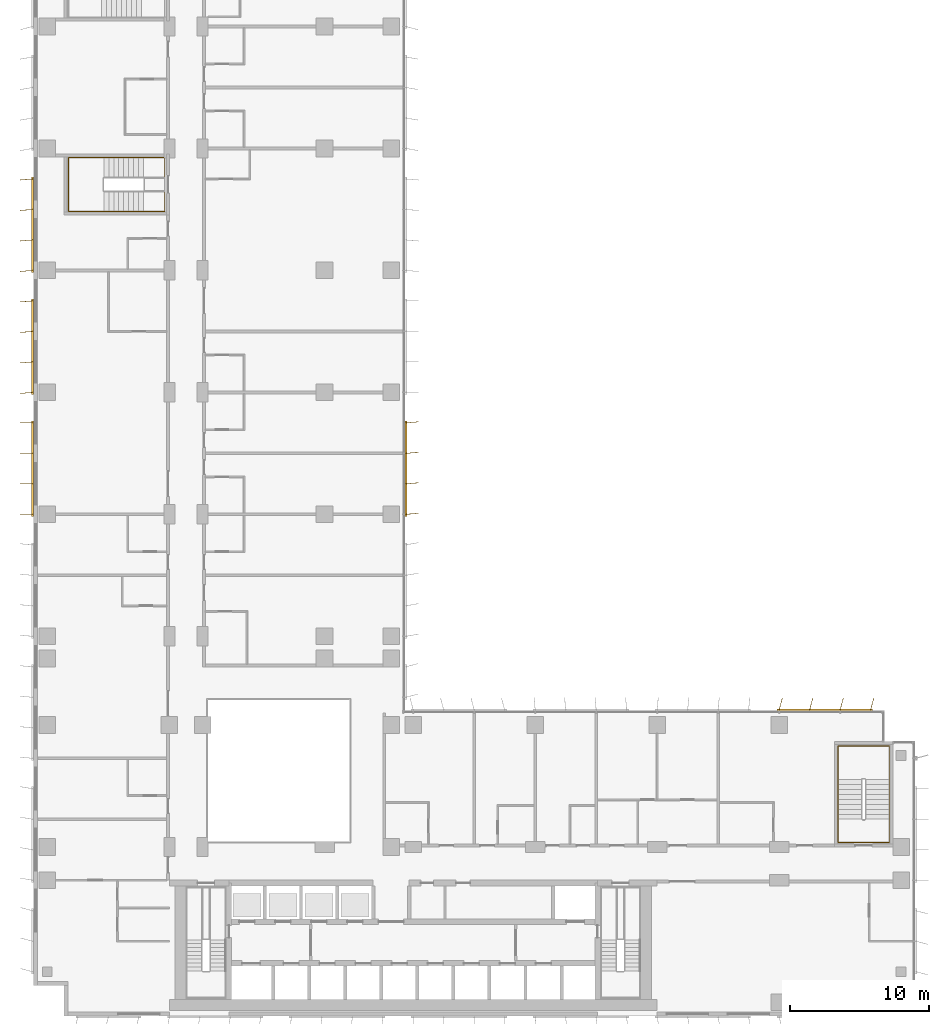
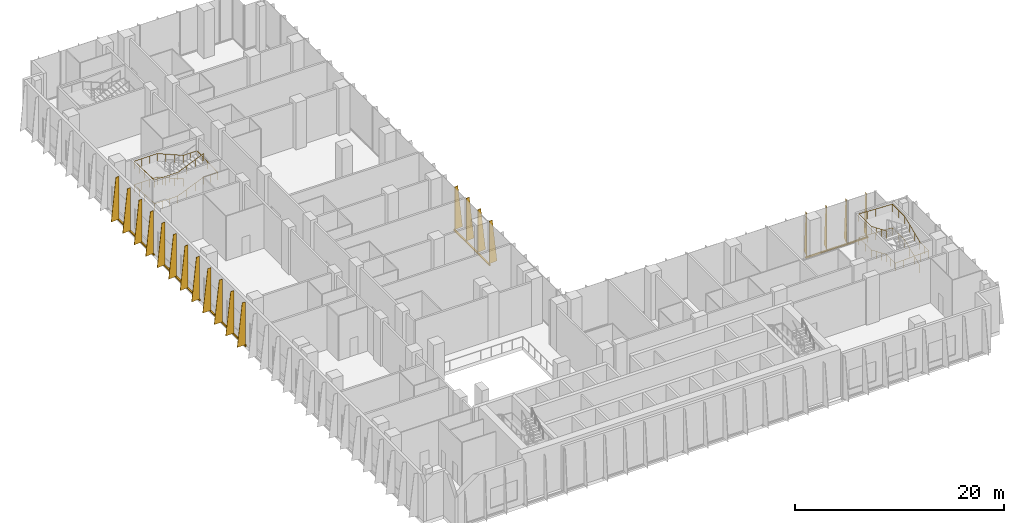
# One storey, part 23 of 26: 5 shading devices, 2 railings.
"""IFC4 building model written with IfcOpenShell, lengths in metres."""

from ifc_helpers import new_model, si_unit, direction, frame, origin, origin_2d, place, context, subcontext, project, spatial, polyline, rectangle, circle, outline, extrude, source, transform, mapped, material, layer, layer_set, type_object, element, save


model = new_model("IFC4")

# Units and contexts
model_context = context("Model", 3, precision=1e-05, world=origin(), true_north=direction((0.0, 1.0)))
body_context = subcontext(model_context, "Body", "Model", "MODEL_VIEW")
ifc_project = project(units=[si_unit("LENGTHUNIT", "METRE"), si_unit("AREAUNIT", "SQUARE_METRE"), si_unit("VOLUMEUNIT", "CUBIC_METRE"), si_unit("PLANEANGLEUNIT", "RADIAN"), si_unit("MASSUNIT", "GRAM", prefix="KILO")], contexts=[model_context])

# Site, building, storey
site_placement = place(None, origin())
site = spatial("IfcSite", under=ifc_project, at=site_placement, CompositionType="ELEMENT")
building_placement = place(site_placement, origin())
building = spatial("IfcBuilding", under=site, at=building_placement, Name="Kemantara Hotel Tower", CompositionType="ELEMENT")
storey_placement = place(building_placement, frame((0.0, 0.0, 101.89990234375)))
storey = spatial("IfcBuildingStorey", under=building, at=storey_placement, Name="L24", CompositionType="ELEMENT", Elevation=101.89990234375)

# Railings
ifc_material_1 = material(Name="Stainless steel balustrade", Category="steel")
railing_type = type_object("IfcRailingType", Name="Stair handrail 900 mm", PredefinedType="HANDRAIL", material=ifc_material_1)
railing_1_placement = place(storey_placement, frame((61.75, 14.199951171875, 0.15283203125)))
element("IfcRailing", 1, at=railing_1_placement, inside=storey, type_object=railing_type, Name="L24 ST3 stair handrail 1", PredefinedType="HANDRAIL", context=body_context, shape_type="SweptSolid", body=[
    extrude(circle(Radius=0.02392578125, at=origin_2d()), frame((0.0, 0.0, 0.8759765625), z_axis=(0.0, 0.920547772064, 0.390630003133), x_axis=(-1.0, 0.0, 0.0)), (0.0, 0.0, 1.0), 3.128662109375),
    extrude(circle(Radius=0.02392578125, at=origin_2d()), frame((0.0, 2.880126953125, 2.09814453125), z_axis=(0.0, 1.0, 0.0), x_axis=(-1.0, 0.0, 0.0)), (0.0, 0.0, 1.0), 2.39990234375),
    extrude(circle(Radius=0.02392578125, at=origin_2d()), frame((0.0, 5.280029296875, 2.09814453125), z_axis=(-0.999147976703, 0.0, 0.041271305405), x_axis=(0.0, -1.0, 0.0)), (0.0, 0.0, 1.0), 3.703125),
    extrude(circle(Radius=0.02392578125, at=origin_2d()), frame((-3.699951171875, 5.280029296875, 2.2509765625), z_axis=(0.0, -1.0, 0.0), x_axis=(1.0, 0.0, 0.0)), (0.0, 0.0, 1.0), 2.39990234375),
    extrude(circle(Radius=0.02392578125, at=origin_2d()), frame((-3.699951171875, 2.880126953125, 2.2509765625), z_axis=(0.0, -0.920547772064, 0.390630003133), x_axis=(1.0, 0.0, 0.0)), (0.0, 0.0, 1.0), 3.128662109375),
    extrude(circle(Radius=0.02392578125, at=origin_2d()), frame((-3.699951171875, 0.0, 3.47314453125), z_axis=(0.0, -1.0, 0.0), x_axis=(1.0, 0.0, 0.0)), (0.0, 0.0, 1.0), 1.679931640625),
    extrude(circle(Radius=0.02392578125, at=origin_2d()), frame((-3.699951171875, -1.679931640625, 3.47314453125), z_axis=(0.999147976703, 0.0, 0.041271305405), x_axis=(0.0, 1.0, 0.0)), (0.0, 0.0, 1.0), 3.703125),
    extrude(circle(Radius=0.02392578125, at=origin_2d()), frame((0.0, -1.679931640625, 3.6259765625), z_axis=(0.0, 1.0, 0.0), x_axis=(-1.0, 0.0, 0.0)), (0.0, 0.0, 1.0), 1.679931640625),
    extrude(circle(Radius=0.02392578125, at=origin_2d()), frame((0.0, 0.0, 3.6259765625), z_axis=(0.0, 0.920547772064, 0.390630003133), x_axis=(-1.0, 0.0, 0.0)), (0.0, 0.0, 1.0), 3.128662109375),
    extrude(circle(Radius=0.02392578125, at=origin_2d()), frame((0.0, 2.880126953125, 4.84814453125), z_axis=(0.0, 1.0, 0.0), x_axis=(-1.0, 0.0, 0.0)), (0.0, 0.0, 1.0), 2.39990234375),
    extrude(circle(Radius=0.02392578125, at=origin_2d()), frame((0.0, 5.280029296875, 4.84814453125), z_axis=(-0.999147976703, 0.0, 0.041271305405), x_axis=(0.0, -1.0, 0.0)), (0.0, 0.0, 1.0), 3.703125),
    extrude(circle(Radius=0.02392578125, at=origin_2d()), frame((-3.699951171875, 5.280029296875, 5.0009765625), z_axis=(0.0, -1.0, 0.0), x_axis=(1.0, 0.0, 0.0)), (0.0, 0.0, 1.0), 2.39990234375),
    extrude(circle(Radius=0.02392578125, at=origin_2d()), frame((-3.699951171875, 2.880126953125, 5.0009765625), z_axis=(0.0, -0.920547772064, 0.390630003133), x_axis=(1.0, 0.0, 0.0)), (0.0, 0.0, 1.0), 3.128662109375),
    extrude(circle(Radius=0.02099609375, at=origin_2d()), origin(), (0.0, 0.0, 1.0), 0.851806640625),
    extrude(circle(Radius=0.02099609375, at=origin_2d()), frame((0.0, 0.9599609375, 0.407470703125)), (0.0, 0.0, 1.0), 0.851806640625),
    extrude(circle(Radius=0.02099609375, at=origin_2d()), frame((0.0, 1.920166015625, 0.814697265625)), (0.0, 0.0, 1.0), 0.851806640625),
    extrude(circle(Radius=0.02099609375, at=origin_2d()), frame((0.0, 2.880126953125, 1.22216796875)), (0.0, 0.0, 1.0), 0.851806640625),
    extrude(circle(Radius=0.02099609375, at=origin_2d()), frame((0.0, 4.080078125, 1.22216796875)), (0.0, 0.0, 1.0), 0.851806640625),
    extrude(circle(Radius=0.02099609375, at=origin_2d()), frame((0.0, 5.280029296875, 1.22216796875)), (0.0, 0.0, 1.0), 0.851806640625),
    extrude(circle(Radius=0.02099609375, at=origin_2d()), frame((-0.925048828125, 5.280029296875, 1.26025390625)), (0.0, 0.0, 1.0), 0.851806640625),
    extrude(circle(Radius=0.02099609375, at=origin_2d()), frame((-1.85009765625, 5.280029296875, 1.298583984375)), (0.0, 0.0, 1.0), 0.851806640625),
    extrude(circle(Radius=0.02099609375, at=origin_2d()), frame((-2.77490234375, 5.280029296875, 1.3369140625)), (0.0, 0.0, 1.0), 0.851806640625),
    extrude(circle(Radius=0.02099609375, at=origin_2d()), frame((-3.699951171875, 5.280029296875, 1.375)), (0.0, 0.0, 1.0), 0.851806640625),
    extrude(circle(Radius=0.02099609375, at=origin_2d()), frame((-3.699951171875, 4.080078125, 1.375)), (0.0, 0.0, 1.0), 0.851806640625),
    extrude(circle(Radius=0.02099609375, at=origin_2d()), frame((-3.699951171875, 2.880126953125, 1.375)), (0.0, 0.0, 1.0), 0.851806640625),
    extrude(circle(Radius=0.02099609375, at=origin_2d()), frame((-3.699951171875, 1.920166015625, 1.782470703125)), (0.0, 0.0, 1.0), 0.851806640625),
    extrude(circle(Radius=0.02099609375, at=origin_2d()), frame((-3.699951171875, 0.9599609375, 2.189697265625)), (0.0, 0.0, 1.0), 0.851806640625),
    extrude(circle(Radius=0.02099609375, at=origin_2d()), frame((-3.699951171875, 0.0, 2.59716796875)), (0.0, 0.0, 1.0), 0.851806640625),
    extrude(circle(Radius=0.02099609375, at=origin_2d()), frame((-3.699951171875, -0.83984375, 2.59716796875)), (0.0, 0.0, 1.0), 0.851806640625),
    extrude(circle(Radius=0.02099609375, at=origin_2d()), frame((-3.699951171875, -1.679931640625, 2.59716796875)), (0.0, 0.0, 1.0), 0.851806640625),
    extrude(circle(Radius=0.02099609375, at=origin_2d()), frame((-2.77490234375, -1.679931640625, 2.63525390625)), (0.0, 0.0, 1.0), 0.851806640625),
    extrude(circle(Radius=0.02099609375, at=origin_2d()), frame((-1.85009765625, -1.679931640625, 2.673583984375)), (0.0, 0.0, 1.0), 0.851806640625),
    extrude(circle(Radius=0.02099609375, at=origin_2d()), frame((-0.925048828125, -1.679931640625, 2.7119140625)), (0.0, 0.0, 1.0), 0.851806640625),
    extrude(circle(Radius=0.02099609375, at=origin_2d()), frame((0.0, -1.679931640625, 2.75)), (0.0, 0.0, 1.0), 0.851806640625),
    extrude(circle(Radius=0.02099609375, at=origin_2d()), frame((0.0, -0.83984375, 2.75)), (0.0, 0.0, 1.0), 0.851806640625),
    extrude(circle(Radius=0.02099609375, at=origin_2d()), frame((0.0, 0.0, 2.75)), (0.0, 0.0, 1.0), 0.851806640625),
    extrude(circle(Radius=0.02099609375, at=origin_2d()), frame((0.0, 0.9599609375, 3.157470703125)), (0.0, 0.0, 1.0), 0.851806640625),
    extrude(circle(Radius=0.02099609375, at=origin_2d()), frame((0.0, 1.920166015625, 3.564697265625)), (0.0, 0.0, 1.0), 0.851806640625),
    extrude(circle(Radius=0.02099609375, at=origin_2d()), frame((0.0, 2.880126953125, 3.97216796875)), (0.0, 0.0, 1.0), 0.851806640625),
    extrude(circle(Radius=0.02099609375, at=origin_2d()), frame((0.0, 4.080078125, 3.97216796875)), (0.0, 0.0, 1.0), 0.851806640625),
    extrude(circle(Radius=0.02099609375, at=origin_2d()), frame((0.0, 5.280029296875, 3.97216796875)), (0.0, 0.0, 1.0), 0.851806640625),
    extrude(circle(Radius=0.02099609375, at=origin_2d()), frame((-0.925048828125, 5.280029296875, 4.01025390625)), (0.0, 0.0, 1.0), 0.851806640625),
    extrude(circle(Radius=0.02099609375, at=origin_2d()), frame((-1.85009765625, 5.280029296875, 4.048583984375)), (0.0, 0.0, 1.0), 0.851806640625),
    extrude(circle(Radius=0.02099609375, at=origin_2d()), frame((-2.77490234375, 5.280029296875, 4.0869140625)), (0.0, 0.0, 1.0), 0.851806640625),
    extrude(circle(Radius=0.02099609375, at=origin_2d()), frame((-3.699951171875, 5.280029296875, 4.125)), (0.0, 0.0, 1.0), 0.851806640625),
    extrude(circle(Radius=0.02099609375, at=origin_2d()), frame((-3.699951171875, 4.080078125, 4.125)), (0.0, 0.0, 1.0), 0.851806640625),
    extrude(circle(Radius=0.02099609375, at=origin_2d()), frame((-3.699951171875, 2.880126953125, 4.125)), (0.0, 0.0, 1.0), 0.851806640625),
    extrude(circle(Radius=0.02099609375, at=origin_2d()), frame((-3.699951171875, 1.920166015625, 4.532470703125)), (0.0, 0.0, 1.0), 0.851806640625),
    extrude(circle(Radius=0.02099609375, at=origin_2d()), frame((-3.699951171875, 0.9599609375, 4.939697265625)), (0.0, 0.0, 1.0), 0.851806640625),
    extrude(circle(Radius=0.02099609375, at=origin_2d()), frame((-3.699951171875, 0.0, 5.34716796875)), (0.0, 0.0, 1.0), 0.851806640625),
])
railing_2_placement = place(storey_placement, frame((7.949951171875, 61.949951171875, 0.15283203125)))
element("IfcRailing", 2, at=railing_2_placement, inside=storey, type_object=railing_type, Name="L24 ST4 stair handrail 1", PredefinedType="HANDRAIL", context=body_context, shape_type="SweptSolid", body=[
    extrude(circle(Radius=0.02392578125, at=origin_2d()), frame((0.0, 0.0, 0.8759765625), z_axis=(-0.920535863683, 0.0, 0.390658064903), x_axis=(0.0, -1.0, 0.0)), (0.0, 0.0, 1.0), 3.12841796875),
    extrude(circle(Radius=0.02392578125, at=origin_2d()), frame((-2.8798828125, 0.0, 2.09814453125), z_axis=(-1.0, 0.0, 0.0), x_axis=(0.0, -1.0, 0.0)), (0.0, 0.0, 1.0), 2.550048828125),
    extrude(circle(Radius=0.02392578125, at=origin_2d()), frame((-5.429931640625, 0.0, 2.09814453125), z_axis=(0.0, -0.999233006938, 0.039158624161), x_axis=(1.0, 0.0, 0.0)), (0.0, 0.0, 1.0), 3.90283203125),
    extrude(circle(Radius=0.02392578125, at=origin_2d()), frame((-5.429931640625, -3.89990234375, 2.2509765625), z_axis=(1.0, 0.0, 0.0), x_axis=(0.0, 1.0, 0.0)), (0.0, 0.0, 1.0), 2.550048828125),
    extrude(circle(Radius=0.02392578125, at=origin_2d()), frame((-2.8798828125, -3.89990234375, 2.2509765625), z_axis=(0.920535863683, 0.0, 0.390658064903), x_axis=(0.0, 1.0, 0.0)), (0.0, 0.0, 1.0), 3.12841796875),
    extrude(circle(Radius=0.02392578125, at=origin_2d()), frame((0.0, -3.89990234375, 3.47314453125), z_axis=(1.0, 0.0, 0.0), x_axis=(0.0, 1.0, 0.0)), (0.0, 0.0, 1.0), 1.530029296875),
    extrude(circle(Radius=0.02392578125, at=origin_2d()), frame((1.530029296875, -3.89990234375, 3.47314453125), z_axis=(0.0, 0.999233006938, 0.039158624161), x_axis=(-1.0, 0.0, 0.0)), (0.0, 0.0, 1.0), 3.90283203125),
    extrude(circle(Radius=0.02392578125, at=origin_2d()), frame((1.530029296875, 0.0, 3.6259765625), z_axis=(-1.0, 0.0, 0.0), x_axis=(0.0, -1.0, 0.0)), (0.0, 0.0, 1.0), 1.530029296875),
    extrude(circle(Radius=0.02392578125, at=origin_2d()), frame((0.0, 0.0, 3.6259765625), z_axis=(-0.920535863683, 0.0, 0.390658064903), x_axis=(0.0, -1.0, 0.0)), (0.0, 0.0, 1.0), 3.12841796875),
    extrude(circle(Radius=0.02392578125, at=origin_2d()), frame((-2.8798828125, 0.0, 4.84814453125), z_axis=(-1.0, 0.0, 0.0), x_axis=(0.0, -1.0, 0.0)), (0.0, 0.0, 1.0), 2.550048828125),
    extrude(circle(Radius=0.02392578125, at=origin_2d()), frame((-5.429931640625, 0.0, 4.84814453125), z_axis=(0.0, -0.999233006938, 0.039158624161), x_axis=(1.0, 0.0, 0.0)), (0.0, 0.0, 1.0), 3.90283203125),
    extrude(circle(Radius=0.02392578125, at=origin_2d()), frame((-5.429931640625, -3.89990234375, 5.0009765625), z_axis=(1.0, 0.0, 0.0), x_axis=(0.0, 1.0, 0.0)), (0.0, 0.0, 1.0), 2.550048828125),
    extrude(circle(Radius=0.02392578125, at=origin_2d()), frame((-2.8798828125, -3.89990234375, 5.0009765625), z_axis=(0.920535863683, 0.0, 0.390658064903), x_axis=(0.0, 1.0, 0.0)), (0.0, 0.0, 1.0), 3.12841796875),
    extrude(circle(Radius=0.02099609375, at=origin_2d()), origin(), (0.0, 0.0, 1.0), 0.851806640625),
    extrude(circle(Radius=0.02099609375, at=origin_2d()), frame((-0.9599609375, 0.0, 0.407470703125)), (0.0, 0.0, 1.0), 0.851806640625),
    extrude(circle(Radius=0.02099609375, at=origin_2d()), frame((-1.919921875, 0.0, 0.814697265625)), (0.0, 0.0, 1.0), 0.851806640625),
    extrude(circle(Radius=0.02099609375, at=origin_2d()), frame((-2.8798828125, 0.0, 1.22216796875)), (0.0, 0.0, 1.0), 0.851806640625),
    extrude(circle(Radius=0.02099609375, at=origin_2d()), frame((-3.72998046875, 0.0, 1.22216796875)), (0.0, 0.0, 1.0), 0.851806640625),
    extrude(circle(Radius=0.02099609375, at=origin_2d()), frame((-4.579833984375, 0.0, 1.22216796875)), (0.0, 0.0, 1.0), 0.851806640625),
    extrude(circle(Radius=0.02099609375, at=origin_2d()), frame((-5.429931640625, 0.0, 1.22216796875)), (0.0, 0.0, 1.0), 0.851806640625),
    extrude(circle(Radius=0.02099609375, at=origin_2d()), frame((-5.429931640625, -0.97509765625, 1.26025390625)), (0.0, 0.0, 1.0), 0.851806640625),
    extrude(circle(Radius=0.02099609375, at=origin_2d()), frame((-5.429931640625, -1.949951171875, 1.298583984375)), (0.0, 0.0, 1.0), 0.851806640625),
    extrude(circle(Radius=0.02099609375, at=origin_2d()), frame((-5.429931640625, -2.9248046875, 1.3369140625)), (0.0, 0.0, 1.0), 0.851806640625),
    extrude(circle(Radius=0.02099609375, at=origin_2d()), frame((-5.429931640625, -3.89990234375, 1.375)), (0.0, 0.0, 1.0), 0.851806640625),
    extrude(circle(Radius=0.02099609375, at=origin_2d()), frame((-4.579833984375, -3.89990234375, 1.375)), (0.0, 0.0, 1.0), 0.851806640625),
    extrude(circle(Radius=0.02099609375, at=origin_2d()), frame((-3.72998046875, -3.89990234375, 1.375)), (0.0, 0.0, 1.0), 0.851806640625),
    extrude(circle(Radius=0.02099609375, at=origin_2d()), frame((-2.8798828125, -3.89990234375, 1.375)), (0.0, 0.0, 1.0), 0.851806640625),
    extrude(circle(Radius=0.02099609375, at=origin_2d()), frame((-1.919921875, -3.89990234375, 1.782470703125)), (0.0, 0.0, 1.0), 0.851806640625),
    extrude(circle(Radius=0.02099609375, at=origin_2d()), frame((-0.9599609375, -3.89990234375, 2.189697265625)), (0.0, 0.0, 1.0), 0.851806640625),
    extrude(circle(Radius=0.02099609375, at=origin_2d()), frame((0.0, -3.89990234375, 2.59716796875)), (0.0, 0.0, 1.0), 0.851806640625),
    extrude(circle(Radius=0.02099609375, at=origin_2d()), frame((0.76513671875, -3.89990234375, 2.59716796875)), (0.0, 0.0, 1.0), 0.851806640625),
    extrude(circle(Radius=0.02099609375, at=origin_2d()), frame((1.530029296875, -3.89990234375, 2.59716796875)), (0.0, 0.0, 1.0), 0.851806640625),
    extrude(circle(Radius=0.02099609375, at=origin_2d()), frame((1.530029296875, -2.9248046875, 2.63525390625)), (0.0, 0.0, 1.0), 0.851806640625),
    extrude(circle(Radius=0.02099609375, at=origin_2d()), frame((1.530029296875, -1.949951171875, 2.673583984375)), (0.0, 0.0, 1.0), 0.851806640625),
    extrude(circle(Radius=0.02099609375, at=origin_2d()), frame((1.530029296875, -0.97509765625, 2.7119140625)), (0.0, 0.0, 1.0), 0.851806640625),
    extrude(circle(Radius=0.02099609375, at=origin_2d()), frame((1.530029296875, 0.0, 2.75)), (0.0, 0.0, 1.0), 0.851806640625),
    extrude(circle(Radius=0.02099609375, at=origin_2d()), frame((0.76513671875, 0.0, 2.75)), (0.0, 0.0, 1.0), 0.851806640625),
    extrude(circle(Radius=0.02099609375, at=origin_2d()), frame((0.0, 0.0, 2.75)), (0.0, 0.0, 1.0), 0.851806640625),
    extrude(circle(Radius=0.02099609375, at=origin_2d()), frame((-0.9599609375, 0.0, 3.157470703125)), (0.0, 0.0, 1.0), 0.851806640625),
    extrude(circle(Radius=0.02099609375, at=origin_2d()), frame((-1.919921875, 0.0, 3.564697265625)), (0.0, 0.0, 1.0), 0.851806640625),
    extrude(circle(Radius=0.02099609375, at=origin_2d()), frame((-2.8798828125, 0.0, 3.97216796875)), (0.0, 0.0, 1.0), 0.851806640625),
    extrude(circle(Radius=0.02099609375, at=origin_2d()), frame((-3.72998046875, 0.0, 3.97216796875)), (0.0, 0.0, 1.0), 0.851806640625),
    extrude(circle(Radius=0.02099609375, at=origin_2d()), frame((-4.579833984375, 0.0, 3.97216796875)), (0.0, 0.0, 1.0), 0.851806640625),
    extrude(circle(Radius=0.02099609375, at=origin_2d()), frame((-5.429931640625, 0.0, 3.97216796875)), (0.0, 0.0, 1.0), 0.851806640625),
    extrude(circle(Radius=0.02099609375, at=origin_2d()), frame((-5.429931640625, -0.97509765625, 4.01025390625)), (0.0, 0.0, 1.0), 0.851806640625),
    extrude(circle(Radius=0.02099609375, at=origin_2d()), frame((-5.429931640625, -1.949951171875, 4.048583984375)), (0.0, 0.0, 1.0), 0.851806640625),
    extrude(circle(Radius=0.02099609375, at=origin_2d()), frame((-5.429931640625, -2.9248046875, 4.0869140625)), (0.0, 0.0, 1.0), 0.851806640625),
    extrude(circle(Radius=0.02099609375, at=origin_2d()), frame((-5.429931640625, -3.89990234375, 4.125)), (0.0, 0.0, 1.0), 0.851806640625),
    extrude(circle(Radius=0.02099609375, at=origin_2d()), frame((-4.579833984375, -3.89990234375, 4.125)), (0.0, 0.0, 1.0), 0.851806640625),
    extrude(circle(Radius=0.02099609375, at=origin_2d()), frame((-3.72998046875, -3.89990234375, 4.125)), (0.0, 0.0, 1.0), 0.851806640625),
    extrude(circle(Radius=0.02099609375, at=origin_2d()), frame((-2.8798828125, -3.89990234375, 4.125)), (0.0, 0.0, 1.0), 0.851806640625),
    extrude(circle(Radius=0.02099609375, at=origin_2d()), frame((-1.919921875, -3.89990234375, 4.532470703125)), (0.0, 0.0, 1.0), 0.851806640625),
    extrude(circle(Radius=0.02099609375, at=origin_2d()), frame((-0.9599609375, -3.89990234375, 4.939697265625)), (0.0, 0.0, 1.0), 0.851806640625),
    extrude(circle(Radius=0.02099609375, at=origin_2d()), frame((0.0, -3.89990234375, 5.34716796875)), (0.0, 0.0, 1.0), 0.851806640625),
])

# Shading devices
ifc_material_2 = material(Name="Perforated aluminium plate 4 mm bronze anodised", Category="aluminium")
ifc_layer_1 = layer(ifc_material_2, 0.0400390625)
ifc_layer_set_1 = layer_set([ifc_layer_1], Name="Perforated aluminium plate 4 mm bronze anodised")
shading_device_type_1 = type_object("IfcShadingDeviceType", Name="SCREEN FIN CASSETTE, 4 BLADES AT +0.0 DEG, 5000 HIGH", PredefinedType="USERDEFINED", material=ifc_layer_set_1)
shared_shape_1 = source(origin(), body_context, "Body", "SweptSolid", [
    extrude(rectangle(XDim=6.89990234375, YDim=0.14990234375, at=origin_2d()), frame((3.300048828125, -0.074951171875, -0.14990234375), z_axis=(0.0, 0.0, 1.0), x_axis=(1.0, 0.0, 0.0)), (0.0, 0.0, 1.0), 0.14990234375),
    extrude(outline(polyline([(0.0, 0.0), (0.89990234375, 0.0), (0.35009765625, 5.0), (0.0, 5.0), (0.0, 0.0)])), frame((0.02001953125, -0.074951171875, 0.0), z_axis=(-1.0, 0.0, 0.0), x_axis=(0.0, -1.0, 0.0)), (0.0, 0.0, 1.0), 0.0400390625),
    extrude(outline(polyline([(0.0, 0.0), (0.89990234375, 0.0), (0.35009765625, 5.0), (0.0, 5.0), (0.0, 0.0)])), frame((2.219970703125, -0.074951171875, 0.0), z_axis=(-1.0, 0.0, 0.0), x_axis=(0.0, -1.0, 0.0)), (0.0, 0.0, 1.0), 0.0400390625),
    extrude(outline(polyline([(0.0, 0.0), (0.89990234375, 0.0), (0.35009765625, 5.0), (0.0, 5.0), (0.0, 0.0)])), frame((4.419921875, -0.074951171875, 0.0), z_axis=(-1.0, 0.0, 0.0), x_axis=(0.0, -1.0, 0.0)), (0.0, 0.0, 1.0), 0.0400390625),
    extrude(outline(polyline([(0.0, 0.0), (0.89990234375, 0.0), (0.35009765625, 5.0), (0.0, 5.0), (0.0, 0.0)])), frame((6.6201171875, -0.074951171875, 0.0), z_axis=(-1.0, 0.0, 0.0), x_axis=(0.0, -1.0, 0.0)), (0.0, 0.0, 1.0), 0.0400390625),
])
shading_device_1_placement = place(storey_placement, frame((0.0, 42.800048828125, 0.10009765625), z_axis=(0.0, 0.0, 1.0), x_axis=(0.0, -1.0, 0.0)))
element("IfcShadingDevice", 3, at=shading_device_1_placement, inside=storey, type_object=shading_device_type_1, Name="SCREEN FIN CASSETTE L24 T2-R04-5", ObjectType="SCREEN FIN", PredefinedType="USERDEFINED", context=body_context, shape_type="MappedRepresentation", body=[
    mapped(shared_shape_1, transform((0.0, 0.0, 0.0))),
])
ifc_layer_2 = layer(ifc_material_2, 0.0400390625)
ifc_layer_set_2 = layer_set([ifc_layer_2], Name="Perforated aluminium plate 4 mm bronze anodised")
shading_device_type_2 = type_object("IfcShadingDeviceType", Name="SCREEN FIN CASSETTE, 4 BLADES AT +5.0 DEG, 5000 HIGH", PredefinedType="USERDEFINED", material=ifc_layer_set_2)
shared_shape_2 = source(origin(), body_context, "Body", "SweptSolid", [
    extrude(rectangle(XDim=6.89990234375, YDim=0.14990234375, at=origin_2d()), frame((3.300048828125, -0.074951171875, -0.14990234375), z_axis=(0.0, 0.0, 1.0), x_axis=(1.0, 0.0, 0.0)), (0.0, 0.0, 1.0), 0.14990234375),
    extrude(outline(polyline([(0.0, 0.0), (0.89990234375, 0.0), (0.35009765625, 5.0), (0.0, 5.0), (0.0, 0.0)])), frame((0.02001953125, -0.0732421875, 0.0), z_axis=(-0.996376129781, -0.085056498884, 0.0), x_axis=(0.085056498884, -0.996376129781, 0.0)), (0.0, 0.0, 1.0), 0.040283203125),
    extrude(outline(polyline([(0.0, 0.0), (0.89990234375, 0.0), (0.35009765625, 5.0), (0.0, 5.0), (0.0, 0.0)])), frame((2.219970703125, -0.0732421875, 0.0), z_axis=(-0.996331773833, -0.085574508182, 0.0), x_axis=(0.085574508182, -0.996331773833, 0.0)), (0.0, 0.0, 1.0), 0.0400390625),
    extrude(outline(polyline([(0.0, 0.0), (0.89990234375, 0.0), (0.35009765625, 5.0), (0.0, 5.0), (0.0, 0.0)])), frame((4.419921875, -0.0732421875, 0.0), z_axis=(-0.996331773833, -0.085574508182, 0.0), x_axis=(0.085574508182, -0.996331773833, 0.0)), (0.0, 0.0, 1.0), 0.0400390625),
    extrude(outline(polyline([(0.0, 0.0), (0.89990234375, 0.0), (0.35009765625, 5.0), (0.0, 5.0), (0.0, 0.0)])), frame((6.619873046875, -0.0732421875, 0.0), z_axis=(-0.996331773833, -0.085574508182, 0.0), x_axis=(0.085574508182, -0.996331773833, 0.0)), (0.0, 0.0, 1.0), 0.0400390625),
])
for number, where, z_axis, x_axis, name in (
    (4, (0.0, 60.39990234375, 0.10009765625), (0.0, 0.0, 1.0), (0.0, -1.0, 0.0), "SCREEN FIN CASSETTE L24 T2-R04-3"),
    (5, (0.0, 51.60009765625, 0.10009765625), (0.0, 0.0, 1.0), (0.0, -1.0, 0.0), "SCREEN FIN CASSETTE L24 T2-R04-4"),
    (6, (26.800048828125, 36.199951171875, 0.10009765625), (0.0, 0.0, 1.0), (0.0, 1.0, 0.0), "SCREEN FIN CASSETTE L24 T2-R14-3"),
):
    element("IfcShadingDevice", number, at=place(storey_placement, frame(where, z_axis=z_axis, x_axis=x_axis)), inside=storey, type_object=shading_device_type_2, Name=name, ObjectType="SCREEN FIN", PredefinedType="USERDEFINED", context=body_context, shape_type="MappedRepresentation", body=[
        mapped(shared_shape_2, transform((0.0, 0.0, 0.0))),
    ])
ifc_layer_3 = layer(ifc_material_2, 0.0400390625)
ifc_layer_set_3 = layer_set([ifc_layer_3], Name="Perforated aluminium plate 4 mm bronze anodised")
shading_device_type_3 = type_object("IfcShadingDeviceType", Name="SCREEN FIN CASSETTE, 4 BLADES AT -15.0 DEG, 5000 HIGH", PredefinedType="USERDEFINED", material=ifc_layer_set_3)
shared_shape_3 = source(origin(), body_context, "Body", "SweptSolid", [
    extrude(rectangle(XDim=6.89990234375, YDim=0.14990234375, at=origin_2d()), frame((3.300048828125, -0.074951171875, -0.14990234375), z_axis=(0.0, 0.0, 1.0), x_axis=(1.0, 0.0, 0.0)), (0.0, 0.0, 1.0), 0.14990234375),
    extrude(outline(polyline([(0.0, 0.0), (0.89990234375, 0.0), (0.35009765625, 5.0), (0.0, 5.0), (0.0, 0.0)])), frame((0.019287109375, -0.080078125, 0.0), z_axis=(-0.966437683387, 0.256901156343, 0.0), x_axis=(-0.256901156343, -0.966437683387, 0.0)), (0.0, 0.0, 1.0), 0.039794921875),
    extrude(outline(polyline([(0.0, 0.0), (0.89990234375, 0.0), (0.35009765625, 5.0), (0.0, 5.0), (0.0, 0.0)])), frame((2.21923828125, -0.080078125, 0.0), z_axis=(-0.966437683387, 0.256901156343, 0.0), x_axis=(-0.256901156343, -0.966437683387, 0.0)), (0.0, 0.0, 1.0), 0.039794921875),
    extrude(outline(polyline([(0.0, 0.0), (0.89990234375, 0.0), (0.35009765625, 5.0), (0.0, 5.0), (0.0, 0.0)])), frame((4.41943359375, -0.080078125, 0.0), z_axis=(-0.966837822169, 0.255391122837, 0.0), x_axis=(-0.255391122837, -0.966837822169, 0.0)), (0.0, 0.0, 1.0), 0.0400390625),
    extrude(outline(polyline([(0.0, 0.0), (0.89990234375, 0.0), (0.35009765625, 5.0), (0.0, 5.0), (0.0, 0.0)])), frame((6.619384765625, -0.080078125, 0.0), z_axis=(-0.966837822169, 0.255391122837, 0.0), x_axis=(-0.255391122837, -0.966837822169, 0.0)), (0.0, 0.0, 1.0), 0.0400390625),
])
shading_device_2_placement = place(storey_placement, frame((60.39990234375, 22.0, 0.10009765625), z_axis=(0.0, 0.0, 1.0), x_axis=(-1.0, 0.0, 0.0)))
element("IfcShadingDevice", 7, at=shading_device_2_placement, inside=storey, type_object=shading_device_type_3, Name="SCREEN FIN CASSETTE L24 T2-R13-1", ObjectType="SCREEN FIN", PredefinedType="USERDEFINED", context=body_context, shape_type="MappedRepresentation", body=[
    mapped(shared_shape_3, transform((0.0, 0.0, 0.0))),
])

save(model, "model.ifc")
